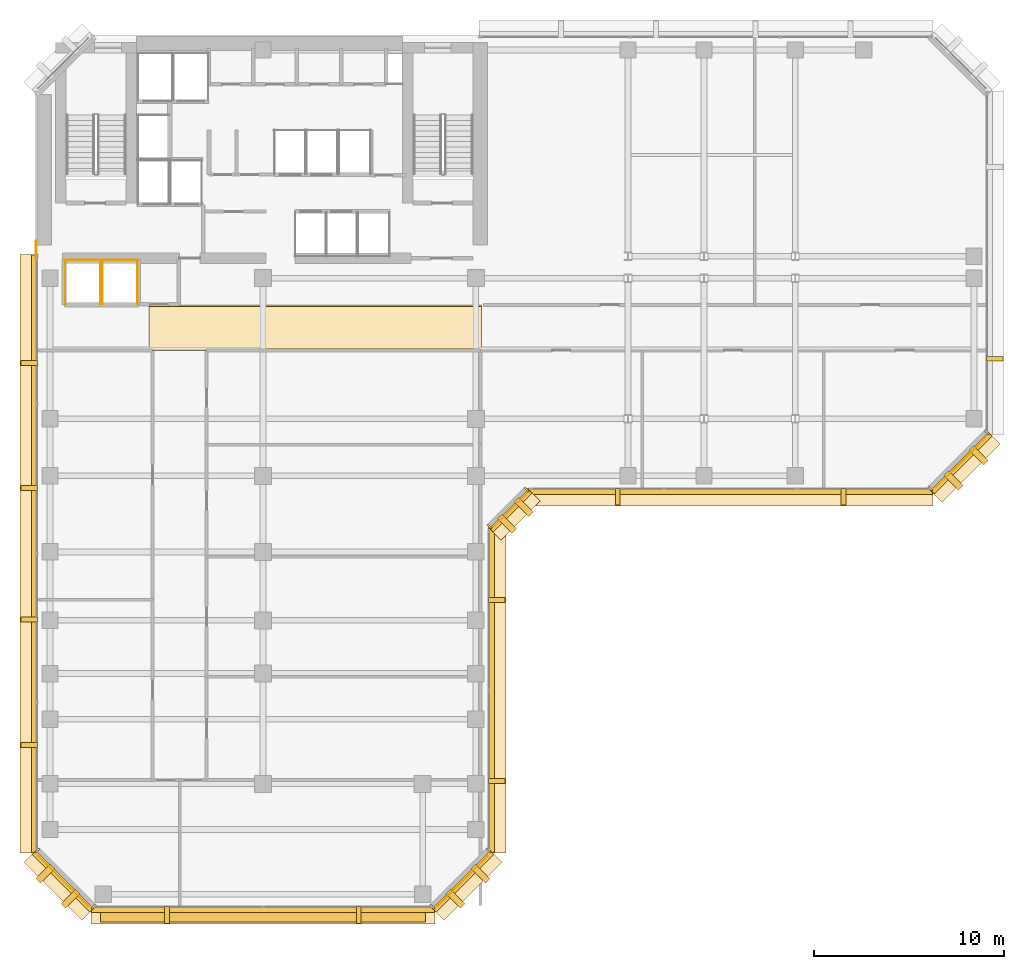
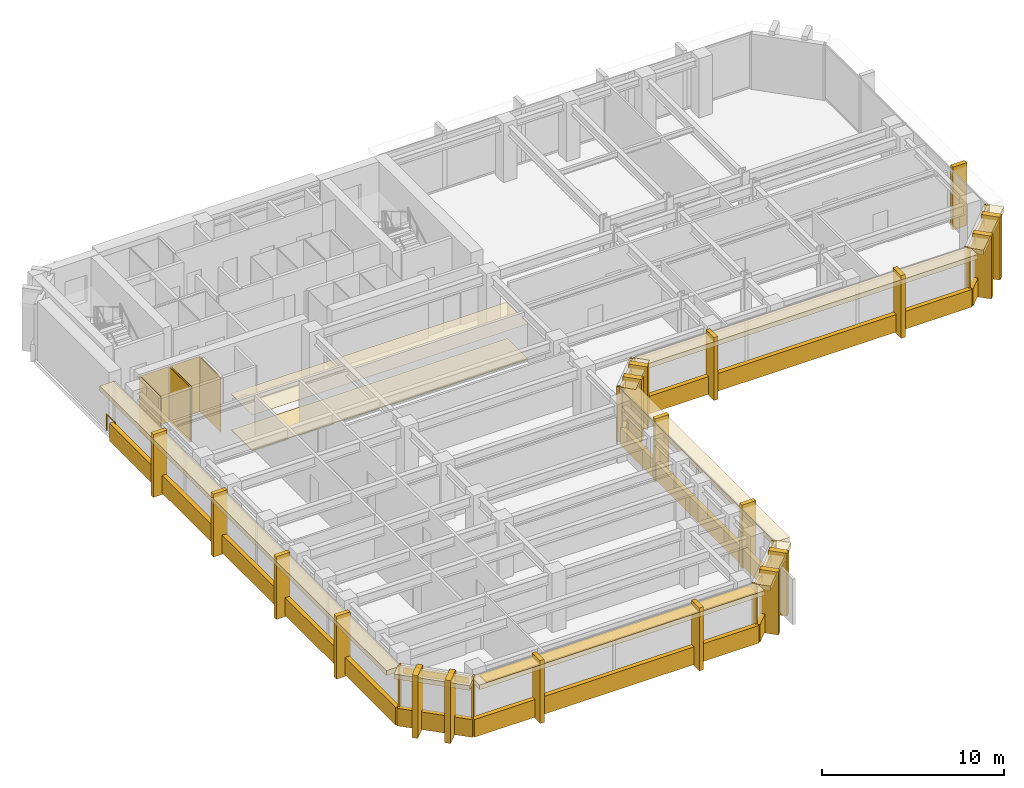
# One storey, part 9 of 11: 55 coverings, 1 railing, 1 shading device.
"""IFC4 building model written with IfcOpenShell, lengths in metres."""

from ifc_helpers import new_model, si_unit, direction, frame, origin, origin_2d, place, context, subcontext, project, spatial, polyline, rectangle, circle, outline, extrude, material, layer, layer_set, type_object, element, save


model = new_model("IFC4")

# Units and contexts
model_context = context("Model", 3, precision=1e-05, world=origin(), true_north=direction((0.0, 1.0)))
body_context = subcontext(model_context, "Body", "Model", "MODEL_VIEW")
ifc_project = project(units=[si_unit("LENGTHUNIT", "METRE"), si_unit("AREAUNIT", "SQUARE_METRE"), si_unit("VOLUMEUNIT", "CUBIC_METRE"), si_unit("PLANEANGLEUNIT", "RADIAN"), si_unit("MASSUNIT", "GRAM", prefix="KILO")], contexts=[model_context])

# Site, building, storey
site_placement = place(None, origin())
site = spatial("IfcSite", under=ifc_project, at=site_placement, CompositionType="ELEMENT")
building_placement = place(site_placement, origin())
building = spatial("IfcBuilding", under=site, at=building_placement, Name="Kefirva Bronze Tower", CompositionType="ELEMENT")
storey_placement = place(building_placement, frame((0.0, 0.0, 142.889892578125)))
storey = spatial("IfcBuildingStorey", under=building, at=storey_placement, Name="L34", CompositionType="ELEMENT", Elevation=142.889892578125)

# Coverings
ifc_material_1 = material(Name="Acoustic mineral tile")
ifc_layer_1 = layer(ifc_material_1, 0.02490234375, Name="Acoustic mineral tile")
ifc_layer_set_1 = layer_set([ifc_layer_1], Name="Acoustic mineral tile")
covering_type_1 = type_object("IfcCoveringType", Name="Acoustic Mineral Suspended Ceiling 25mm", PredefinedType="CEILING", material=ifc_layer_set_1)
covering_1_placement = place(storey_placement, frame((0.0, 0.0, 2.400146484375)))
element("IfcCovering", 1, at=covering_1_placement, inside=storey, type_object=covering_type_1, Name="L34 Corridor Acoustic Ceiling", PredefinedType="CEILING", context=body_context, shape_type="SweptSolid", body=[
    extrude(outline(polyline([(6.0, 29.39990234375), (23.5, 29.39990234375), (23.5, 31.800048828125), (6.0, 31.800048828125), (6.0, 29.39990234375)])), origin(), (0.0, 0.0, 1.0), 0.02490234375),
])
ifc_material_2 = material(Name="Bronze anodised aluminium", Category="aluminium")
ifc_layer_2 = layer(ifc_material_2, 0.02001953125, Name="Bronze anodised aluminium")
ifc_layer_set_2 = layer_set([ifc_layer_2], Name="Bronze anodised aluminium")
covering_type_2 = type_object("IfcCoveringType", Name="Anodised Bronze Spandrel Cladding 20mm", PredefinedType="CLADDING", material=ifc_layer_set_2)
covering_2_placement = place(storey_placement, frame((12.0, -0.0400390625, -0.15966796875), z_axis=(0.0, 0.0, 1.0), x_axis=(1.0, 0.0, 0.0)))
element("IfcCovering", 2, at=covering_2_placement, inside=storey, type_object=covering_type_2, Name="L34 Streamline Horizontal Spandrel Band 0", PredefinedType="CLADDING", context=body_context, shape_type="SweptSolid", body=[
    extrude(rectangle(XDim=18.0400390625, YDim=0.280029296875, at=origin_2d()), origin(), (0.0, 0.0, 1.0), 1.179931640625),
])
covering_3_placement = place(storey_placement, frame((22.507080078125, 1.492919921875, 3.2900390625), z_axis=(0.0, 0.0, 1.0), x_axis=(0.707106781187, 0.707106781187, 0.0)))
element("IfcCovering", 3, at=covering_3_placement, inside=storey, type_object=covering_type_2, Name="L34 Bronze Spandrel Cladding 1", PredefinedType="CLADDING", context=body_context, shape_type="SweptSolid", body=[
    extrude(rectangle(XDim=3.719482421875, YDim=0.02001953125, at=origin_2d()), origin(), (0.0, 0.0, 1.0), 0.39990234375),
])
for number, where, z_axis, x_axis, name in (
    (4, (20.91162109375, 0.137939453125, 0.000244140625), (0.0, 0.0, 1.0), (0.707106781187, 0.707106781187, 0.0), "L34 Facade Joint Closure Panel 1S"),
    (5, (23.862060546875, 3.08837890625, 0.000244140625), (0.0, 0.0, 1.0), (0.707106781187, 0.707106781187, 0.0), "L34 Facade Joint Closure Panel 1E"),
):
    element("IfcCovering", number, at=place(storey_placement, frame(where, z_axis=z_axis, x_axis=x_axis)), inside=storey, type_object=covering_type_2, Name=name, PredefinedType="CLADDING", context=body_context, shape_type="SweptSolid", body=[
        extrude(rectangle(XDim=0.10009765625, YDim=0.320068359375, at=origin_2d()), origin(), (0.0, 0.0, 1.0), 3.7099609375),
    ])
covering_4_placement = place(storey_placement, frame((22.5283203125, 1.4716796875, -0.15966796875), z_axis=(0.0, 0.0, 1.0), x_axis=(0.707106781187, 0.707106781187, 0.0)))
element("IfcCovering", 6, at=covering_4_placement, inside=storey, type_object=covering_type_2, Name="L34 Streamline Horizontal Spandrel Band 1", PredefinedType="CLADDING", context=body_context, shape_type="SweptSolid", body=[
    extrude(rectangle(XDim=4.28271484375, YDim=0.280029296875, at=origin_2d()), origin(), (0.0, 0.0, 1.0), 1.179931640625),
])
covering_5_placement = place(storey_placement, frame((24.0400390625, 11.5, -0.15966796875), z_axis=(0.0, 0.0, 1.0), x_axis=(0.0, 1.0, 0.0)))
element("IfcCovering", 7, at=covering_5_placement, inside=storey, type_object=covering_type_2, Name="L34 Streamline Horizontal Spandrel Band 2", PredefinedType="CLADDING", context=body_context, shape_type="SweptSolid", body=[
    extrude(rectangle(XDim=17.0400390625, YDim=0.280029296875, at=origin_2d()), origin(), (0.0, 0.0, 1.0), 1.179931640625),
])
covering_6_placement = place(storey_placement, frame((25.007080078125, 20.992919921875, 3.2900390625), z_axis=(0.0, 0.0, 1.0), x_axis=(0.707106781187, 0.707106781187, 0.0)))
element("IfcCovering", 8, at=covering_6_placement, inside=storey, type_object=covering_type_2, Name="L34 Bronze Spandrel Cladding 2", PredefinedType="CLADDING", context=body_context, shape_type="SweptSolid", body=[
    extrude(rectangle(XDim=2.446533203125, YDim=0.02001953125, at=origin_2d()), origin(), (0.0, 0.0, 1.0), 0.39990234375),
])
for number, where, z_axis, x_axis, name in (
    (9, (23.91162109375, 20.137939453125, 0.000244140625), (0.0, 0.0, 1.0), (0.707106781187, 0.707106781187, 0.0), "L34 Facade Joint Closure Panel 2S"),
    (10, (25.862060546875, 22.08837890625, 0.000244140625), (0.0, 0.0, 1.0), (0.707106781187, 0.707106781187, 0.0), "L34 Facade Joint Closure Panel 2E"),
):
    element("IfcCovering", number, at=place(storey_placement, frame(where, z_axis=z_axis, x_axis=x_axis)), inside=storey, type_object=covering_type_2, Name=name, PredefinedType="CLADDING", context=body_context, shape_type="SweptSolid", body=[
        extrude(rectangle(XDim=0.10009765625, YDim=0.320068359375, at=origin_2d()), origin(), (0.0, 0.0, 1.0), 3.7099609375),
    ])
covering_7_placement = place(storey_placement, frame((25.0283203125, 20.9716796875, -0.15966796875), z_axis=(0.0, 0.0, 1.0), x_axis=(0.707106781187, 0.707106781187, 0.0)))
element("IfcCovering", 11, at=covering_7_placement, inside=storey, type_object=covering_type_2, Name="L34 Streamline Horizontal Spandrel Band 3", PredefinedType="CLADDING", context=body_context, shape_type="SweptSolid", body=[
    extrude(rectangle(XDim=2.868408203125, YDim=0.280029296875, at=origin_2d()), origin(), (0.0, 0.0, 1.0), 1.179931640625),
])
covering_8_placement = place(storey_placement, frame((36.60009765625, 21.9599609375, -0.15966796875), z_axis=(0.0, 0.0, 1.0), x_axis=(1.0, 0.0, 0.0)))
element("IfcCovering", 12, at=covering_8_placement, inside=storey, type_object=covering_type_2, Name="L34 Streamline Horizontal Spandrel Band 4", PredefinedType="CLADDING", context=body_context, shape_type="SweptSolid", body=[
    extrude(rectangle(XDim=21.239990234375, YDim=0.280029296875, at=origin_2d()), origin(), (0.0, 0.0, 1.0), 1.179931640625),
])
covering_9_placement = place(storey_placement, frame((48.70703125, 23.492919921875, 3.2900390625), z_axis=(0.0, 0.0, 1.0), x_axis=(0.707106781187, 0.707106781187, 0.0)))
element("IfcCovering", 13, at=covering_9_placement, inside=storey, type_object=covering_type_2, Name="L34 Bronze Spandrel Cladding 3", PredefinedType="CLADDING", context=body_context, shape_type="SweptSolid", body=[
    extrude(rectangle(XDim=3.719482421875, YDim=0.02001953125, at=origin_2d()), origin(), (0.0, 0.0, 1.0), 0.39990234375),
])
for number, where, z_axis, x_axis, name in (
    (14, (47.11181640625, 22.137939453125, 0.000244140625), (0.0, 0.0, 1.0), (0.707106781187, 0.707106781187, 0.0), "L34 Facade Joint Closure Panel 3S"),
    (15, (50.06201171875, 25.08837890625, 0.000244140625), (0.0, 0.0, 1.0), (0.707106781187, 0.707106781187, 0.0), "L34 Facade Joint Closure Panel 3E"),
):
    element("IfcCovering", number, at=place(storey_placement, frame(where, z_axis=z_axis, x_axis=x_axis)), inside=storey, type_object=covering_type_2, Name=name, PredefinedType="CLADDING", context=body_context, shape_type="SweptSolid", body=[
        extrude(rectangle(XDim=0.10009765625, YDim=0.320068359375, at=origin_2d()), origin(), (0.0, 0.0, 1.0), 3.7099609375),
    ])
covering_10_placement = place(storey_placement, frame((48.728271484375, 23.4716796875, -0.15966796875), z_axis=(0.0, 0.0, 1.0), x_axis=(0.707106781187, 0.707106781187, 0.0)))
element("IfcCovering", 16, at=covering_10_placement, inside=storey, type_object=covering_type_2, Name="L34 Streamline Horizontal Spandrel Band 5", PredefinedType="CLADDING", context=body_context, shape_type="SweptSolid", body=[
    extrude(rectangle(XDim=4.28271484375, YDim=0.280029296875, at=origin_2d()), origin(), (0.0, 0.0, 1.0), 1.179931640625),
])
covering_11_placement = place(storey_placement, frame((-0.0400390625, 18.697509765625, -0.15966796875), z_axis=(0.0, 0.0, 1.0), x_axis=(0.0, -1.0, 0.0)))
element("IfcCovering", 17, at=covering_11_placement, inside=storey, type_object=covering_type_2, Name="L34 Streamline Horizontal Spandrel Band 10", PredefinedType="CLADDING", context=body_context, shape_type="SweptSolid", body=[
    extrude(rectangle(XDim=31.43505859375, YDim=0.280029296875, at=origin_2d()), origin(), (0.0, 0.0, 1.0), 1.179931640625),
])
covering_12_placement = place(storey_placement, frame((1.492919921875, 1.492919921875, 3.2900390625), z_axis=(0.0, 0.0, 1.0), x_axis=(0.707106781187, -0.707106781187, 0.0)))
element("IfcCovering", 18, at=covering_12_placement, inside=storey, type_object=covering_type_2, Name="L34 Bronze Spandrel Cladding 6", PredefinedType="CLADDING", context=body_context, shape_type="SweptSolid", body=[
    extrude(rectangle(XDim=3.719482421875, YDim=0.02001953125, at=origin_2d()), origin(), (0.0, 0.0, 1.0), 0.39990234375),
])
for number, where, z_axis, x_axis, name in (
    (19, (0.137939453125, 3.08837890625, 0.000244140625), (0.0, 0.0, 1.0), (0.707106781187, -0.707106781187, 0.0), "L34 Facade Joint Closure Panel 6S"),
    (20, (3.08837890625, 0.137939453125, 0.000244140625), (0.0, 0.0, 1.0), (0.707106781187, -0.707106781187, 0.0), "L34 Facade Joint Closure Panel 6E"),
):
    element("IfcCovering", number, at=place(storey_placement, frame(where, z_axis=z_axis, x_axis=x_axis)), inside=storey, type_object=covering_type_2, Name=name, PredefinedType="CLADDING", context=body_context, shape_type="SweptSolid", body=[
        extrude(rectangle(XDim=0.10009765625, YDim=0.320068359375, at=origin_2d()), origin(), (0.0, 0.0, 1.0), 3.7099609375),
    ])
covering_13_placement = place(storey_placement, frame((1.4716796875, 1.4716796875, -0.15966796875), z_axis=(0.0, 0.0, 1.0), x_axis=(0.707106781187, -0.707106781187, 0.0)))
element("IfcCovering", 21, at=covering_13_placement, inside=storey, type_object=covering_type_2, Name="L34 Streamline Horizontal Spandrel Band 11", PredefinedType="CLADDING", context=body_context, shape_type="SweptSolid", body=[
    extrude(rectangle(XDim=4.28271484375, YDim=0.280029296875, at=origin_2d()), origin(), (0.0, 0.0, 1.0), 1.179931640625),
])
covering_14_placement = place(storey_placement, origin())
element("IfcCovering", 22, at=covering_14_placement, inside=storey, type_object=covering_type_2, Name="L34 Lift OB1 Hoistway Liner N", PredefinedType="CLADDING", context=body_context, shape_type="SweptSolid", body=[
    extrude(outline(polyline([(1.580078125, 34.139892578125), (3.469970703125, 34.139892578125), (3.469970703125, 34.159912109375), (1.580078125, 34.159912109375), (1.580078125, 34.139892578125)])), origin(), (0.0, 0.0, 1.0), 3.710205078125),
])
covering_15_placement = place(storey_placement, origin())
element("IfcCovering", 23, at=covering_15_placement, inside=storey, type_object=covering_type_2, Name="L34 Lift OB1 Hoistway Liner W", PredefinedType="CLADDING", context=body_context, shape_type="SweptSolid", body=[
    extrude(outline(polyline([(1.590087890625, 31.830078125), (1.610107421875, 31.830078125), (1.610107421875, 34.169921875), (1.590087890625, 34.169921875), (1.590087890625, 31.830078125)])), origin(), (0.0, 0.0, 1.0), 3.710205078125),
])
covering_16_placement = place(storey_placement, origin())
element("IfcCovering", 24, at=covering_16_placement, inside=storey, type_object=covering_type_2, Name="L34 Lift OB1 Hoistway Liner E", PredefinedType="CLADDING", context=body_context, shape_type="SweptSolid", body=[
    extrude(outline(polyline([(3.43994140625, 31.830078125), (3.4599609375, 31.830078125), (3.4599609375, 34.169921875), (3.43994140625, 34.169921875), (3.43994140625, 31.830078125)])), origin(), (0.0, 0.0, 1.0), 3.710205078125),
])
covering_17_placement = place(storey_placement, origin())
element("IfcCovering", 25, at=covering_17_placement, inside=storey, type_object=covering_type_2, Name="L34 Lift OB2 Hoistway Liner N", PredefinedType="CLADDING", context=body_context, shape_type="SweptSolid", body=[
    extrude(outline(polyline([(3.530029296875, 34.139892578125), (5.419921875, 34.139892578125), (5.419921875, 34.159912109375), (3.530029296875, 34.159912109375), (3.530029296875, 34.139892578125)])), origin(), (0.0, 0.0, 1.0), 3.710205078125),
])
covering_18_placement = place(storey_placement, origin())
element("IfcCovering", 26, at=covering_18_placement, inside=storey, type_object=covering_type_2, Name="L34 Lift OB2 Hoistway Liner W", PredefinedType="CLADDING", context=body_context, shape_type="SweptSolid", body=[
    extrude(outline(polyline([(3.5400390625, 31.830078125), (3.56005859375, 31.830078125), (3.56005859375, 34.169921875), (3.5400390625, 34.169921875), (3.5400390625, 31.830078125)])), origin(), (0.0, 0.0, 1.0), 3.710205078125),
])
covering_19_placement = place(storey_placement, origin())
element("IfcCovering", 27, at=covering_19_placement, inside=storey, type_object=covering_type_2, Name="L34 Lift OB2 Hoistway Liner E", PredefinedType="CLADDING", context=body_context, shape_type="SweptSolid", body=[
    extrude(outline(polyline([(5.389892578125, 31.830078125), (5.409912109375, 31.830078125), (5.409912109375, 34.169921875), (5.389892578125, 34.169921875), (5.389892578125, 31.830078125)])), origin(), (0.0, 0.0, 1.0), 3.710205078125),
])

# Shading device
ifc_layer_3 = layer(ifc_material_2, 0.090087890625, Name="Bronze anodised aluminium")
ifc_layer_set_3 = layer_set([ifc_layer_3], Name="Bronze anodised aluminium")
shading_device_type = type_object("IfcShadingDeviceType", Name="Horizontal Bronze Sunshade Band 750mm", PredefinedType="JALOUSIE", material=ifc_layer_set_3)
shading_device_placement = place(storey_placement, frame((12.0, -0.294921875, 3.60498046875), z_axis=(0.0, 0.0, 1.0), x_axis=(1.0, 0.0, 0.0)))
element("IfcShadingDevice", 28, at=shading_device_placement, inside=storey, type_object=shading_device_type, Name="L34 Horizontal Bronze Sunshade Band 0", PredefinedType="JALOUSIE", context=body_context, shape_type="SweptSolid", body=[
    extrude(rectangle(XDim=17.090087890625, YDim=0.75, at=origin_2d()), origin(), (0.0, 0.0, 1.0), 0.090087890625),
])

# Railing
ifc_material_3 = material(Name="Stainless steel 316", Category="steel")
railing_type = type_object("IfcRailingType", Name="Interior Stair Guardrail 1100mm", PredefinedType="GUARDRAIL", material=ifc_material_3)
railing_placement = place(storey_placement, frame((0.080078125, 34.199951171875, 0.0)))
element("IfcRailing", 29, at=railing_placement, inside=storey, type_object=railing_type, Name="L34 West Core Junction Guardrail", PredefinedType="GUARDRAIL", context=body_context, shape_type="SweptSolid", body=[
    extrude(circle(Radius=0.02392578125, at=origin_2d()), frame((0.0, 0.0, 1.076171875), z_axis=(0.0, 1.0, 0.0), x_axis=(-1.0, 0.0, 0.0)), (0.0, 0.0, 1.0), 0.949951171875),
    extrude(circle(Radius=0.02099609375, at=origin_2d()), origin(), (0.0, 0.0, 1.0), 1.052001953125),
    extrude(circle(Radius=0.02099609375, at=origin_2d()), frame((0.0, 0.949951171875, 0.0)), (0.0, 0.0, 1.0), 1.052001953125),
])

# Coverings
ifc_material_4 = material(Name="Calcium sulphate access tile")
ifc_layer_4 = layer(ifc_material_4, 0.044921875, Name="Calcium sulphate access tile")
ifc_layer_set_4 = layer_set([ifc_layer_4], Name="Calcium sulphate access tile")
covering_type_3 = type_object("IfcCoveringType", Name="Raised Access Office Flooring 45mm", PredefinedType="FLOORING", material=ifc_layer_set_4)
covering_20_placement = place(storey_placement, origin())
element("IfcCovering", 30, at=covering_20_placement, inside=storey, type_object=covering_type_3, Name="L34 Architectural Finish Flooring", PredefinedType="FLOORING", context=body_context, shape_type="SweptSolid", body=[
    extrude(outline(polyline([(6.0, 29.47998046875), (23.5, 29.47998046875), (23.5, 31.719970703125), (6.0, 31.719970703125), (6.0, 29.47998046875)])), origin(), (0.0, 0.0, 1.0), 0.045166015625),
])
ifc_layer_5 = layer(ifc_material_2, 0.179931640625, Name="Bronze anodised aluminium")
ifc_layer_set_5 = layer_set([ifc_layer_5], Name="Bronze anodised aluminium")
covering_type_4 = type_object("IfcCoveringType", Name="Streamline Bronze Sunshade Eyebrow Cladding 180mm", PredefinedType="CLADDING", material=ifc_layer_set_5)
covering_21_placement = place(storey_placement, frame((12.0, -0.31005859375, 3.39013671875), z_axis=(0.0, 0.0, 1.0), x_axis=(1.0, 0.0, 0.0)))
element("IfcCovering", 31, at=covering_21_placement, inside=storey, type_object=covering_type_4, Name="L34 Streamline Bronze Sunshade Eyebrow 0", PredefinedType="CLADDING", context=body_context, shape_type="SweptSolid", body=[
    extrude(rectangle(XDim=18.080078125, YDim=0.93994140625, at=origin_2d()), origin(), (0.0, 0.0, 1.0), 0.320068359375),
])
covering_22_placement = place(storey_placement, frame((22.71923828125, 1.28076171875, 3.39013671875), z_axis=(0.0, 0.0, 1.0), x_axis=(0.707106781187, 0.707106781187, 0.0)))
element("IfcCovering", 32, at=covering_22_placement, inside=storey, type_object=covering_type_4, Name="L34 Streamline Bronze Sunshade Eyebrow 1", PredefinedType="CLADDING", context=body_context, shape_type="SweptSolid", body=[
    extrude(rectangle(XDim=4.322509765625, YDim=0.93994140625, at=origin_2d()), origin(), (0.0, 0.0, 1.0), 0.320068359375),
])
covering_23_placement = place(storey_placement, frame((24.31005859375, 11.5, 3.39013671875), z_axis=(0.0, 0.0, 1.0), x_axis=(0.0, 1.0, 0.0)))
element("IfcCovering", 33, at=covering_23_placement, inside=storey, type_object=covering_type_4, Name="L34 Streamline Bronze Sunshade Eyebrow 2", PredefinedType="CLADDING", context=body_context, shape_type="SweptSolid", body=[
    extrude(rectangle(XDim=17.080078125, YDim=0.93994140625, at=origin_2d()), origin(), (0.0, 0.0, 1.0), 0.320068359375),
])
covering_24_placement = place(storey_placement, frame((25.21923828125, 20.78076171875, 3.39013671875), z_axis=(0.0, 0.0, 1.0), x_axis=(0.707106781187, 0.707106781187, 0.0)))
element("IfcCovering", 34, at=covering_24_placement, inside=storey, type_object=covering_type_4, Name="L34 Streamline Bronze Sunshade Eyebrow 3", PredefinedType="CLADDING", context=body_context, shape_type="SweptSolid", body=[
    extrude(rectangle(XDim=2.908447265625, YDim=0.93994140625, at=origin_2d()), origin(), (0.0, 0.0, 1.0), 0.320068359375),
])
covering_25_placement = place(storey_placement, frame((36.60009765625, 21.68994140625, 3.39013671875), z_axis=(0.0, 0.0, 1.0), x_axis=(1.0, 0.0, 0.0)))
element("IfcCovering", 35, at=covering_25_placement, inside=storey, type_object=covering_type_4, Name="L34 Streamline Bronze Sunshade Eyebrow 4", PredefinedType="CLADDING", context=body_context, shape_type="SweptSolid", body=[
    extrude(rectangle(XDim=21.280029296875, YDim=0.93994140625, at=origin_2d()), origin(), (0.0, 0.0, 1.0), 0.320068359375),
])
covering_26_placement = place(storey_placement, frame((48.919189453125, 23.28076171875, 3.39013671875), z_axis=(0.0, 0.0, 1.0), x_axis=(0.707106781187, 0.707106781187, 0.0)))
element("IfcCovering", 36, at=covering_26_placement, inside=storey, type_object=covering_type_4, Name="L34 Streamline Bronze Sunshade Eyebrow 5", PredefinedType="CLADDING", context=body_context, shape_type="SweptSolid", body=[
    extrude(rectangle(XDim=4.322509765625, YDim=0.93994140625, at=origin_2d()), origin(), (0.0, 0.0, 1.0), 0.320068359375),
])
covering_27_placement = place(storey_placement, frame((-0.31005859375, 18.697509765625, 3.39013671875), z_axis=(0.0, 0.0, 1.0), x_axis=(0.0, -1.0, 0.0)))
element("IfcCovering", 37, at=covering_27_placement, inside=storey, type_object=covering_type_4, Name="L34 Streamline Bronze Sunshade Eyebrow 10", PredefinedType="CLADDING", context=body_context, shape_type="SweptSolid", body=[
    extrude(rectangle(XDim=31.47509765625, YDim=0.93994140625, at=origin_2d()), origin(), (0.0, 0.0, 1.0), 0.320068359375),
])
covering_28_placement = place(storey_placement, frame((1.28076171875, 1.28076171875, 3.39013671875), z_axis=(0.0, 0.0, 1.0), x_axis=(0.707106781187, -0.707106781187, 0.0)))
element("IfcCovering", 38, at=covering_28_placement, inside=storey, type_object=covering_type_4, Name="L34 Streamline Bronze Sunshade Eyebrow 11", PredefinedType="CLADDING", context=body_context, shape_type="SweptSolid", body=[
    extrude(rectangle(XDim=4.322509765625, YDim=0.93994140625, at=origin_2d()), origin(), (0.0, 0.0, 1.0), 0.320068359375),
])
ifc_layer_6 = layer(ifc_material_2, 0.260009765625, Name="Bronze anodised aluminium")
ifc_layer_set_6 = layer_set([ifc_layer_6], Name="Bronze anodised aluminium")
covering_type_5 = type_object("IfcCoveringType", Name="Unbroken Bronze Buttress Fin Cladding 260mm", PredefinedType="CLADDING", material=ifc_layer_set_6)
for number, where, z_axis, x_axis, name in (
    (39, (6.9599609375, -0.300048828125, -0.249755859375), (0.0, 0.0, 1.0), (1.0, 0.0, 0.0), "L34 Unbroken Vertical Bronze Rib Fin 1"),
    (40, (17.0400390625, -0.300048828125, -0.249755859375), (0.0, 0.0, 1.0), (1.0, 0.0, 0.0), "L34 Unbroken Vertical Bronze Rib Fin 2"),
):
    element("IfcCovering", number, at=place(storey_placement, frame(where, z_axis=z_axis, x_axis=x_axis)), inside=storey, type_object=covering_type_5, Name=name, PredefinedType="CLADDING", context=body_context, shape_type="SweptSolid", body=[
        extrude(rectangle(XDim=0.260009765625, YDim=0.8798828125, at=origin_2d()), origin(), (0.0, 0.0, 1.0), 4.2099609375),
    ])
for number, where, z_axis, x_axis, name in (
    (41, (22.122802734375, 0.55712890625, -0.249755859375), (0.0, 0.0, 1.0), (0.707106781187, 0.707106781187, 0.0), "L34 Chamfered Corner Buttress Fin Cladding 3"),
    (42, (23.44287109375, 1.877197265625, -0.249755859375), (0.0, 0.0, 1.0), (0.707106781187, 0.707106781187, 0.0), "L34 Chamfered Corner Buttress Fin Cladding 4"),
):
    element("IfcCovering", number, at=place(storey_placement, frame(where, z_axis=z_axis, x_axis=x_axis)), inside=storey, type_object=covering_type_5, Name=name, PredefinedType="CLADDING", context=body_context, shape_type="SweptSolid", body=[
        extrude(rectangle(XDim=0.340087890625, YDim=1.080078125, at=origin_2d()), origin(), (0.0, 0.0, 1.0), 4.2099609375),
    ])
for number, where, z_axis, x_axis, name in (
    (43, (24.300048828125, 6.739990234375, -0.249755859375), (0.0, 0.0, 1.0), (0.0, 1.0, 0.0), "L34 Unbroken Vertical Bronze Rib Fin 5"),
    (44, (24.300048828125, 16.260009765625, -0.249755859375), (0.0, 0.0, 1.0), (0.0, 1.0, 0.0), "L34 Unbroken Vertical Bronze Rib Fin 6"),
):
    element("IfcCovering", number, at=place(storey_placement, frame(where, z_axis=z_axis, x_axis=x_axis)), inside=storey, type_object=covering_type_5, Name=name, PredefinedType="CLADDING", context=body_context, shape_type="SweptSolid", body=[
        extrude(rectangle(XDim=0.260009765625, YDim=0.8798828125, at=origin_2d()), origin(), (0.0, 0.0, 1.0), 4.2099609375),
    ])
for number, where, z_axis, x_axis, name in (
    (45, (24.8427734375, 20.277099609375, -0.249755859375), (0.0, 0.0, 1.0), (0.707106781187, 0.707106781187, 0.0), "L34 Chamfered Corner Buttress Fin Cladding 7"),
    (46, (25.722900390625, 21.1572265625, -0.249755859375), (0.0, 0.0, 1.0), (0.707106781187, 0.707106781187, 0.0), "L34 Chamfered Corner Buttress Fin Cladding 8"),
):
    element("IfcCovering", number, at=place(storey_placement, frame(where, z_axis=z_axis, x_axis=x_axis)), inside=storey, type_object=covering_type_5, Name=name, PredefinedType="CLADDING", context=body_context, shape_type="SweptSolid", body=[
        extrude(rectangle(XDim=0.340087890625, YDim=1.080078125, at=origin_2d()), origin(), (0.0, 0.0, 1.0), 4.2099609375),
    ])
for number, where, z_axis, x_axis, name in (
    (47, (30.6640625, 21.699951171875, -0.249755859375), (0.0, 0.0, 1.0), (1.0, 0.0, 0.0), "L34 Unbroken Vertical Bronze Rib Fin 9"),
    (48, (42.535888671875, 21.699951171875, -0.249755859375), (0.0, 0.0, 1.0), (1.0, 0.0, 0.0), "L34 Unbroken Vertical Bronze Rib Fin 10"),
):
    element("IfcCovering", number, at=place(storey_placement, frame(where, z_axis=z_axis, x_axis=x_axis)), inside=storey, type_object=covering_type_5, Name=name, PredefinedType="CLADDING", context=body_context, shape_type="SweptSolid", body=[
        extrude(rectangle(XDim=0.260009765625, YDim=0.8798828125, at=origin_2d()), origin(), (0.0, 0.0, 1.0), 4.2099609375),
    ])
for number, where, z_axis, x_axis, name in (
    (49, (48.32275390625, 22.55712890625, -0.249755859375), (0.0, 0.0, 1.0), (0.707106781187, 0.707106781187, 0.0), "L34 Chamfered Corner Buttress Fin Cladding 11"),
    (50, (49.642822265625, 23.877197265625, -0.249755859375), (0.0, 0.0, 1.0), (0.707106781187, 0.707106781187, 0.0), "L34 Chamfered Corner Buttress Fin Cladding 12"),
):
    element("IfcCovering", number, at=place(storey_placement, frame(where, z_axis=z_axis, x_axis=x_axis)), inside=storey, type_object=covering_type_5, Name=name, PredefinedType="CLADDING", context=body_context, shape_type="SweptSolid", body=[
        extrude(rectangle(XDim=0.340087890625, YDim=1.080078125, at=origin_2d()), origin(), (0.0, 0.0, 1.0), 4.2099609375),
    ])
for number, where, z_axis, x_axis, name in (
    (51, (50.5, 28.9599609375, -0.249755859375), (0.0, 0.0, 1.0), (0.0, 1.0, 0.0), "L34 Unbroken Vertical Bronze Rib Fin 13"),
    (52, (-0.300048828125, 28.743896484375, -0.249755859375), (0.0, 0.0, 1.0), (0.0, -1.0, 0.0), "L34 Unbroken Vertical Bronze Rib Fin 23"),
    (53, (-0.300048828125, 22.15087890625, -0.249755859375), (0.0, 0.0, 1.0), (0.0, -1.0, 0.0), "L34 Unbroken Vertical Bronze Rib Fin 24"),
    (54, (-0.300048828125, 15.244140625, -0.249755859375), (0.0, 0.0, 1.0), (0.0, -1.0, 0.0), "L34 Unbroken Vertical Bronze Rib Fin 25"),
    (55, (-0.300048828125, 8.651123046875, -0.249755859375), (0.0, 0.0, 1.0), (0.0, -1.0, 0.0), "L34 Unbroken Vertical Bronze Rib Fin 26"),
):
    element("IfcCovering", number, at=place(storey_placement, frame(where, z_axis=z_axis, x_axis=x_axis)), inside=storey, type_object=covering_type_5, Name=name, PredefinedType="CLADDING", context=body_context, shape_type="SweptSolid", body=[
        extrude(rectangle(XDim=0.260009765625, YDim=0.8798828125, at=origin_2d()), origin(), (0.0, 0.0, 1.0), 4.2099609375),
    ])
for number, where, z_axis, x_axis, name in (
    (56, (0.55712890625, 1.877197265625, -0.249755859375), (0.0, 0.0, 1.0), (0.707106781187, -0.707106781187, 0.0), "L34 Chamfered Corner Buttress Fin Cladding 27"),
    (57, (1.877197265625, 0.55712890625, -0.249755859375), (0.0, 0.0, 1.0), (0.707106781187, -0.707106781187, 0.0), "L34 Chamfered Corner Buttress Fin Cladding 28"),
):
    element("IfcCovering", number, at=place(storey_placement, frame(where, z_axis=z_axis, x_axis=x_axis)), inside=storey, type_object=covering_type_5, Name=name, PredefinedType="CLADDING", context=body_context, shape_type="SweptSolid", body=[
        extrude(rectangle(XDim=0.340087890625, YDim=1.080078125, at=origin_2d()), origin(), (0.0, 0.0, 1.0), 4.2099609375),
    ])

save(model, "model.ifc")
